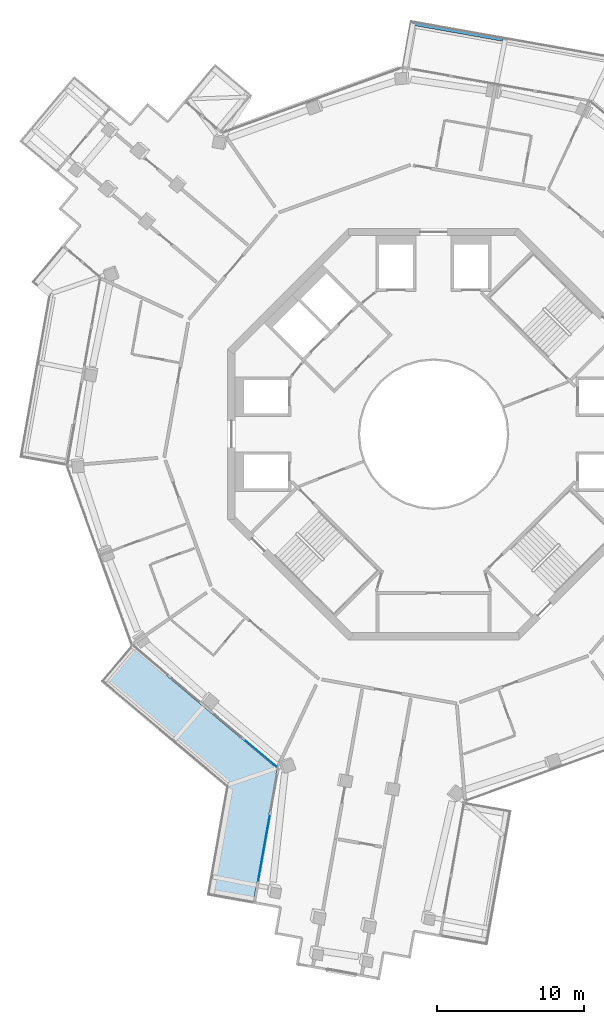
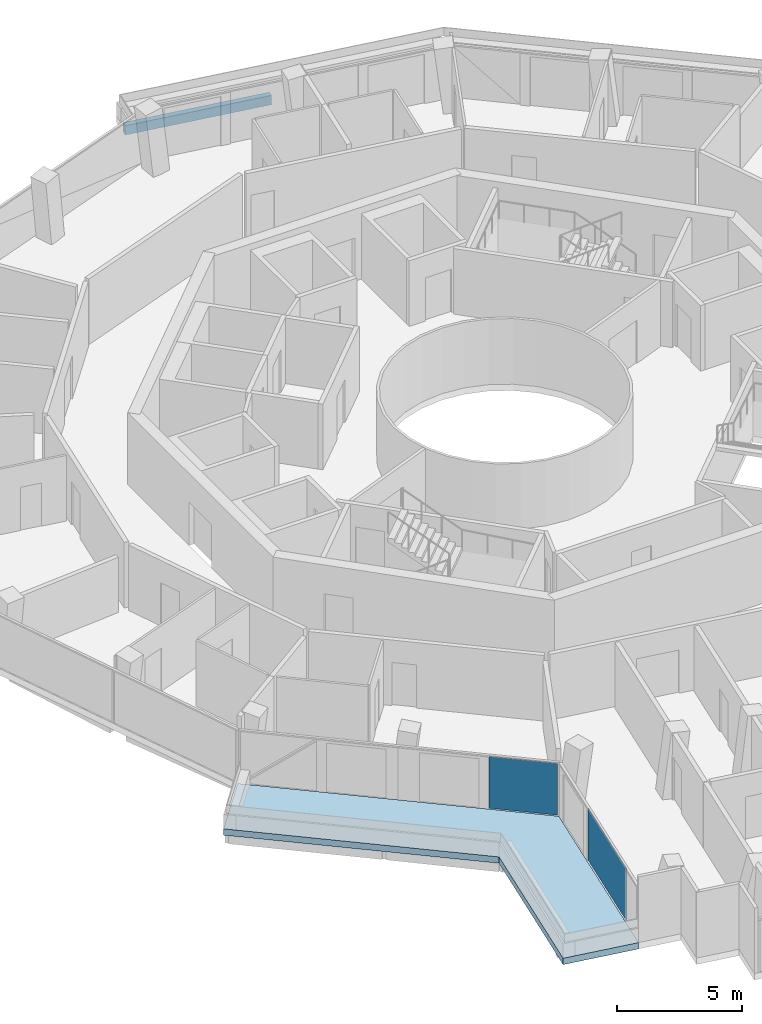
# One storey, part 9 of 22: 2 plates, 1 beam, 1 slab, 2 elements without a shape of their own.
"""IFC4 building model written with IfcOpenShell, lengths in metres."""

from ifc_helpers import new_model, si_unit, direction, frame, origin, origin_2d, place, context, subcontext, project, spatial, polyline, rectangle, outline, extrude, material, layer, layer_set, material_profile, profile_set, type_object, element, aggregate, save


model = new_model("IFC4")

# Units and contexts
model_context = context("Model", 3, precision=1e-05, world=origin(), true_north=direction((0.0, 1.0)))
body_context = subcontext(model_context, "Body", "Model", "MODEL_VIEW")
ifc_project = project(units=[si_unit("LENGTHUNIT", "METRE"), si_unit("AREAUNIT", "SQUARE_METRE"), si_unit("VOLUMEUNIT", "CUBIC_METRE"), si_unit("PLANEANGLEUNIT", "RADIAN"), si_unit("MASSUNIT", "GRAM", prefix="KILO")], contexts=[model_context])

# Site, building, storey
site_placement = place(None, origin())
site = spatial("IfcSite", under=ifc_project, at=site_placement, CompositionType="ELEMENT")
building_placement = place(site_placement, origin())
building = spatial("IfcBuilding", under=site, at=building_placement, Name="Verdalira Terraces Hotel", CompositionType="ELEMENT")
storey_placement = place(building_placement, frame((0.0, 0.0, 237.5)))
storey = spatial("IfcBuildingStorey", under=building, at=storey_placement, Name="L58", CompositionType="ELEMENT", Elevation=237.5)

# Beam
ifc_material_1 = material(Name="Concrete C40", Category="concrete")
ifc_material_profile = material_profile(ifc_material_1, rectangle(XDim=0.25, YDim=0.449951, at=origin_2d()), Name="RC 250X450")
ifc_profile_set = profile_set([ifc_material_profile], Name="Concrete C40")
beam_type = type_object("IfcBeamType", Name="Balcony edge beam RC 250X450 C40", PredefinedType="BEAM", material=ifc_profile_set)
beam_placement = place(storey_placement, frame((4.717041, 26.847168, -0.534912), z_axis=(-0.984563413, 0.175028242, 0.0), x_axis=(-0.175028242, -0.984563413, 0.0)))
element("IfcBeam", 1, at=beam_placement, inside=storey, type_object=beam_type, Name="Balcony edge beam R39-4", PredefinedType="BEAM", context=body_context, shape_type="SweptSolid", body=[
    extrude(rectangle(XDim=0.25, YDim=0.449951, at=origin_2d()), origin(), (0.0, 0.0, 1.0), 6.196045),
])

# Slab
ifc_material_2 = material(Name="Precast concrete C40/50", Category="concrete")
ifc_layer_1 = layer(ifc_material_2, 0.31005859375)
ifc_layer_set_1 = layer_set([ifc_layer_1], Name="Balcony deck 310")
slab_type = type_object("IfcSlabType", Name="Balcony deck 310", PredefinedType="FLOOR", material=ifc_layer_set_1)
slab_placement = place(storey_placement, frame((0.0, 0.0, -0.310059)))
element("IfcSlab", 2, at=slab_placement, inside=storey, type_object=slab_type, Name="Balcony deck", PredefinedType="FLOOR", context=body_context, shape_type="SweptSolid", body=[
    extrude(outline(polyline([(-14.119385, -24.005127), (-15.430176, -31.378418), (-12.279541, -31.938477), (-10.645508, -22.746338), (-20.592285, -14.376221), (-22.652588, -16.824463), (-14.119385, -24.005127)])), origin(), (0.0, 0.0, 1.0), 0.310059),
])

# Curtain wall, plate
ifc_material_3 = material(Name="Clear glass", Category="glass")
ifc_layer_2 = layer(ifc_material_3, 0.14990234375)
ifc_layer_set_2 = layer_set([ifc_layer_2], Name="CW1 curtain wall")
curtain_wall_type_1 = type_object("IfcCurtainWallType", Name="CW1 curtain wall", PredefinedType="NOTDEFINED", material=ifc_layer_set_2)
curtain_wall_1_placement = place(storey_placement, origin())
curtain_wall_1 = element("IfcCurtainWall", 3, at=curtain_wall_1_placement, inside=storey, type_object=curtain_wall_type_1, Name="CW1 curtain wall L58 edge 13", PredefinedType="NOTDEFINED")
ifc_material_4 = material(Name="Clear glass", Category="glass")
ifc_layer_3 = layer(ifc_material_4, 0.028076171875)
ifc_layer_set_3 = layer_set([ifc_layer_3], Name="CW1 glass unit 28")
plate_type_1 = type_object("IfcPlateType", Name="CW1 glass unit 28", PredefinedType="CURTAIN_PANEL", material=ifc_layer_set_3)
plate_1_placement = place(storey_placement, frame((-11.706055, -21.755615, 0.0), z_axis=(0.0, 0.0, 1.0), x_axis=(0.765146196, -0.643856583, 0.0)))
plate_1 = element("IfcPlate", 4, at=plate_1_placement, type_object=plate_type_1, Name="CW1 glass unit", PredefinedType="CURTAIN_PANEL", context=body_context, shape_type="SweptSolid", body=[
    extrude(rectangle(XDim=2.778809, YDim=0.028076, at=origin_2d()), origin(), (0.0, 0.0, 1.0), 2.524902),
])
aggregate(curtain_wall_1, [plate_1])

ifc_material_5 = material(Name="Clear glass", Category="glass")
ifc_layer_4 = layer(ifc_material_5, 0.14990234375)
ifc_layer_set_4 = layer_set([ifc_layer_4], Name="CW2 curtain wall")
curtain_wall_type_2 = type_object("IfcCurtainWallType", Name="CW2 curtain wall", PredefinedType="NOTDEFINED", material=ifc_layer_set_4)
curtain_wall_2_placement = place(storey_placement, origin())
curtain_wall_2 = element("IfcCurtainWall", 5, at=curtain_wall_2_placement, inside=storey, type_object=curtain_wall_type_2, Name="CW2 curtain wall L58 edge 14", PredefinedType="NOTDEFINED")
ifc_material_6 = material(Name="Clear glass", Category="glass")
ifc_layer_5 = layer(ifc_material_6, 0.031982421875)
ifc_layer_set_5 = layer_set([ifc_layer_5], Name="CW2 glass unit 32")
plate_type_2 = type_object("IfcPlateType", Name="CW2 glass unit 32", PredefinedType="CURTAIN_PANEL", material=ifc_layer_set_5)
plate_2_placement = place(storey_placement, frame((-11.534668, -28.17749, 0.0), z_axis=(0.0, 0.0, 1.0), x_axis=(-0.175023059, -0.984564335, 0.0)))
plate_2 = element("IfcPlate", 6, at=plate_2_placement, type_object=plate_type_2, Name="CW2 glass unit", PredefinedType="CURTAIN_PANEL", context=body_context, shape_type="SweptSolid", body=[
    extrude(rectangle(XDim=4.466309, YDim=0.031982, at=origin_2d()), origin(), (0.0, 0.0, 1.0), 2.524902),
])
aggregate(curtain_wall_2, [plate_2])

save(model, "model.ifc")
